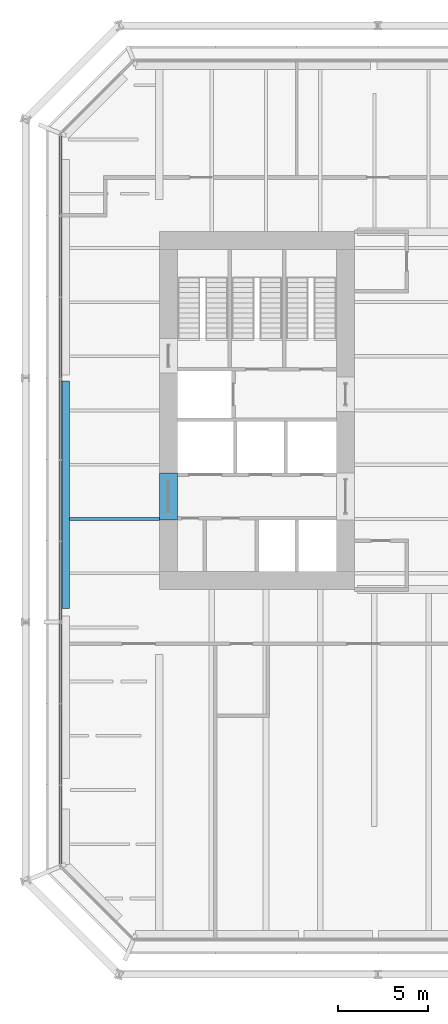
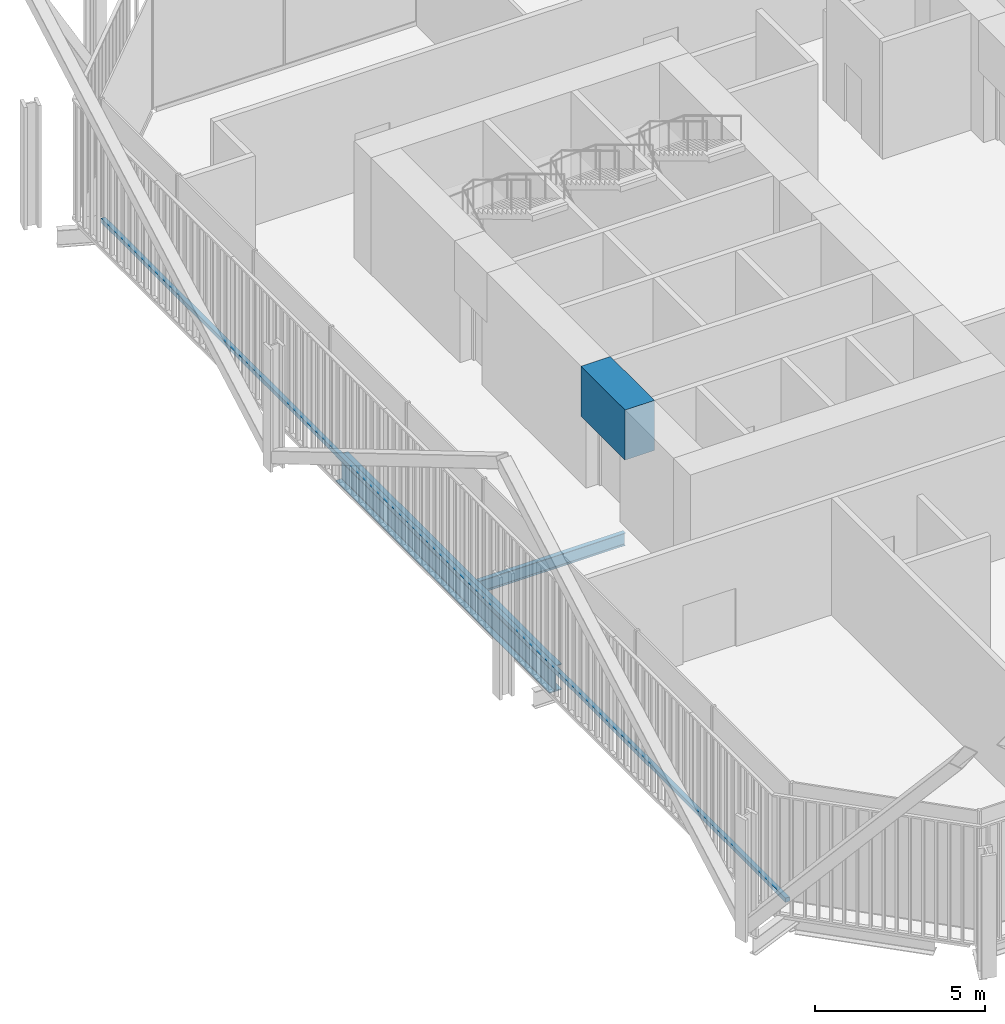
# One storey, part 6 of 21: 3 beams, 1 member, 1 element without a shape of its own.
"""IFC4 building model written with IfcOpenShell, lengths in metres."""

from ifc_helpers import new_model, si_unit, direction, frame, origin, origin_2d, place, context, subcontext, project, spatial, rectangle, i_section, extrude, material, layer, layer_set, material_profile, profile_set, type_object, element, aggregate, save


model = new_model("IFC4")

# Units and contexts
model_context = context("Model", 3, precision=1e-05, world=origin(), true_north=direction((0.0, 1.0)))
body_context = subcontext(model_context, "Body", "Model", "MODEL_VIEW")
ifc_project = project(units=[si_unit("LENGTHUNIT", "METRE"), si_unit("AREAUNIT", "SQUARE_METRE"), si_unit("VOLUMEUNIT", "CUBIC_METRE"), si_unit("PLANEANGLEUNIT", "RADIAN"), si_unit("MASSUNIT", "GRAM", prefix="KILO")], contexts=[model_context])

# Site, building, storey
site_placement = place(None, origin())
site = spatial("IfcSite", under=ifc_project, at=site_placement, CompositionType="ELEMENT")
building_placement = place(site_placement, origin())
building = spatial("IfcBuilding", under=site, at=building_placement, Name="Millrace Tower", CompositionType="ELEMENT")
storey_placement = place(building_placement, frame((0.0, 0.0, 73.199951171875)))
storey = spatial("IfcBuildingStorey", under=building, at=storey_placement, Name="L16", CompositionType="ELEMENT", Elevation=73.199951171875)

# Curtain wall, member
ifc_material_1 = material(Name="Aluminium and glass", Category="aluminium")
ifc_layer = layer(ifc_material_1, 0.14990234375)
ifc_layer_set = layer_set([ifc_layer], Name="Aluminium and glass")
curtain_wall_type = type_object("IfcCurtainWallType", Name="CW-3 telecom floor curtain wall", PredefinedType="NOTDEFINED", material=ifc_layer_set)
curtain_wall_placement = place(storey_placement, origin())
curtain_wall = element("IfcCurtainWall", 1, at=curtain_wall_placement, inside=storey, type_object=curtain_wall_type, Name="Curtain wall B-F08 L16", PredefinedType="NOTDEFINED")
ifc_material_2 = material(Name="Aluminium", Category="aluminium")
ifc_material_profile_1 = material_profile(ifc_material_2, rectangle(XDim=0.14990234375, YDim=0.14990234375, at=origin_2d()))
ifc_profile_set_1 = profile_set([ifc_material_profile_1], Name="Aluminium")
member_type = type_object("IfcMemberType", Name="CW-3 telecom floor curtain wall transom", PredefinedType="USERDEFINED", material=ifc_profile_set_1)
member_placement = place(storey_placement, frame((-20.375, 15.199951171875, 0.074951171875), z_axis=(0.0, -1.0, 0.0), x_axis=(1.0, 0.0, 0.0)))
member = element("IfcMember", 2, at=member_placement, type_object=member_type, Name="CW3 transom B-F08.1", ObjectType="TRANSOM", PredefinedType="USERDEFINED", context=body_context, shape_type="SweptSolid", body=[
    extrude(rectangle(XDim=0.14990234375, YDim=0.14990234375, at=origin_2d()), origin(), (0.0, 0.0, 1.0), 40.300048828125),
])
aggregate(curtain_wall, [member])

# Beams
ifc_material_3 = material(Name="Concrete C80", Category="concrete")
ifc_material_profile_2 = material_profile(ifc_material_3, rectangle(XDim=1.0, YDim=1.800048828125, at=origin_2d()))
ifc_profile_set_2 = profile_set([ifc_material_profile_2], Name="Concrete C80")
beam_type_1 = type_object("IfcBeamType", Name="Coupling beam 1000 x 1800 Concrete C80, 2000 opening", PredefinedType="BEAM", material=ifc_profile_set_2)
beam_1_placement = place(storey_placement, frame((-14.39990234375, -6.050048828125, 3.300048828125), z_axis=(0.0, 1.0, 0.0), x_axis=(-1.0, 0.0, 0.0)))
element("IfcBeam", 3, at=beam_1_placement, inside=storey, type_object=beam_type_1, Name="Coupling beam W L16", PredefinedType="BEAM", context=body_context, shape_type="SweptSolid", body=[
    extrude(rectangle(XDim=1.0, YDim=1.800048828125, at=origin_2d()), origin(), (0.0, 0.0, 1.0), 2.60009765625),
])
ifc_material_4 = material(Name="Steel ASTM A992 Grade 50", Category="steel")
ifc_material_profile_3 = material_profile(ifc_material_4, i_section(OverallWidth=0.15234375, OverallDepth=0.449462890625, WebThickness=0.007568359375, FlangeThickness=0.0107421875, FilletRadius=0.01025390625, at=origin_2d()))
ifc_profile_set_3 = profile_set([ifc_material_profile_3], Name="Steel ASTM A992 Grade 50")
beam_type_2 = type_object("IfcBeamType", Name="Floor beam W18x35", PredefinedType="JOIST", material=ifc_profile_set_3)
beam_2_placement = place(storey_placement, frame((-19.880859375, -6.0, -0.4248046875), z_axis=(1.0, 0.0, 0.0), x_axis=(0.0, 1.0, 0.0)))
element("IfcBeam", 4, at=beam_2_placement, inside=storey, type_object=beam_type_2, Name="BM-B-L16-S1-S017", PredefinedType="JOIST", context=body_context, shape_type="SweptSolid", body=[
    extrude(i_section(OverallWidth=0.15234375, OverallDepth=0.449462890625, WebThickness=0.007568359375, FlangeThickness=0.0107421875, FilletRadius=0.01025390625, at=origin_2d()), origin(), (0.0, 0.0, 1.0), 4.98095703125),
])
ifc_material_5 = material(Name="Steel ASTM A992 Grade 50", Category="steel")
ifc_material_profile_4 = material_profile(ifc_material_5, i_section(OverallWidth=0.419189453125, OverallDepth=0.927001953125, WebThickness=0.019287109375, FlangeThickness=0.031982421875, FilletRadius=0.024169921875, at=origin_2d()))
ifc_profile_set_4 = profile_set([ifc_material_profile_4], Name="Steel ASTM A992 Grade 50")
beam_type_3 = type_object("IfcBeamType", Name="Ring beam medium span W36x231", PredefinedType="SPANDREL", material=ifc_profile_set_4)
beam_3_placement = place(storey_placement, frame((-20.09033203125, -10.94482421875, -0.66357421875), z_axis=(0.0, 1.0, 0.0), x_axis=(-1.0, 0.0, 0.0)))
element("IfcBeam", 5, at=beam_3_placement, inside=storey, type_object=beam_type_3, Name="RNG-B-L16-S1-02", PredefinedType="SPANDREL", context=body_context, shape_type="SweptSolid", body=[
    extrude(i_section(OverallWidth=0.419189453125, OverallDepth=0.927001953125, WebThickness=0.019287109375, FlangeThickness=0.031982421875, FilletRadius=0.024169921875, at=origin_2d()), origin(), (0.0, 0.0, 1.0), 12.58349609375),
])

save(model, "model.ifc")
